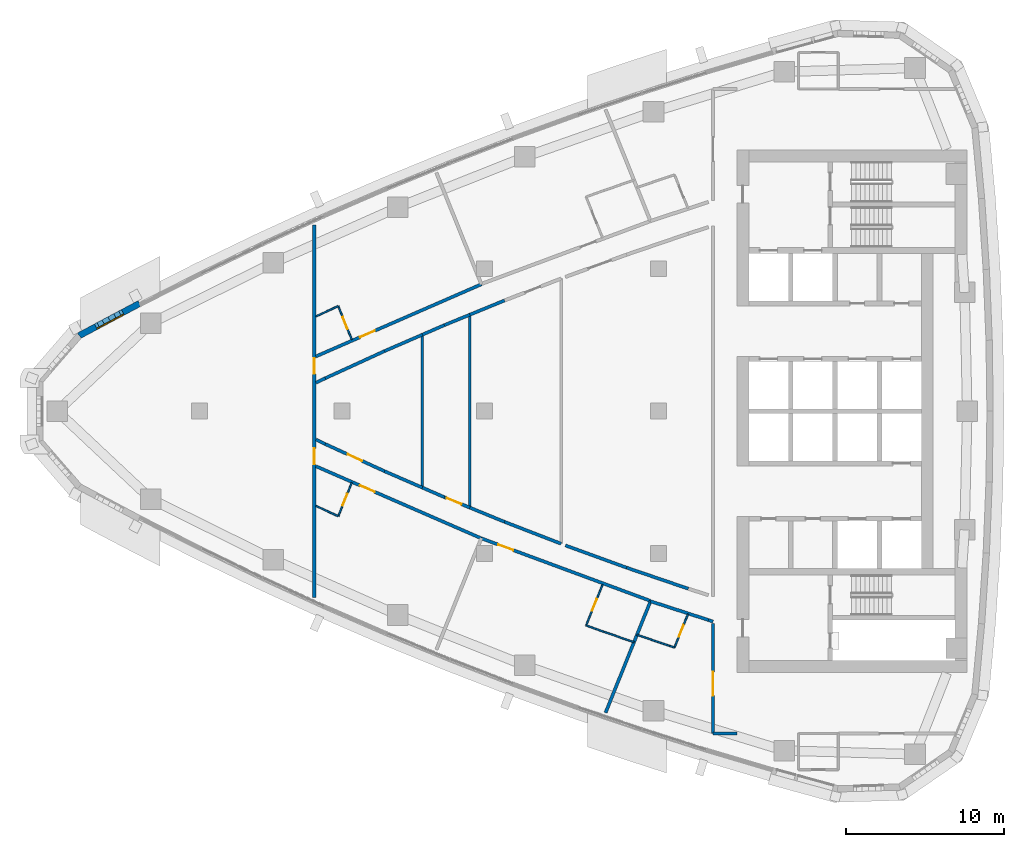
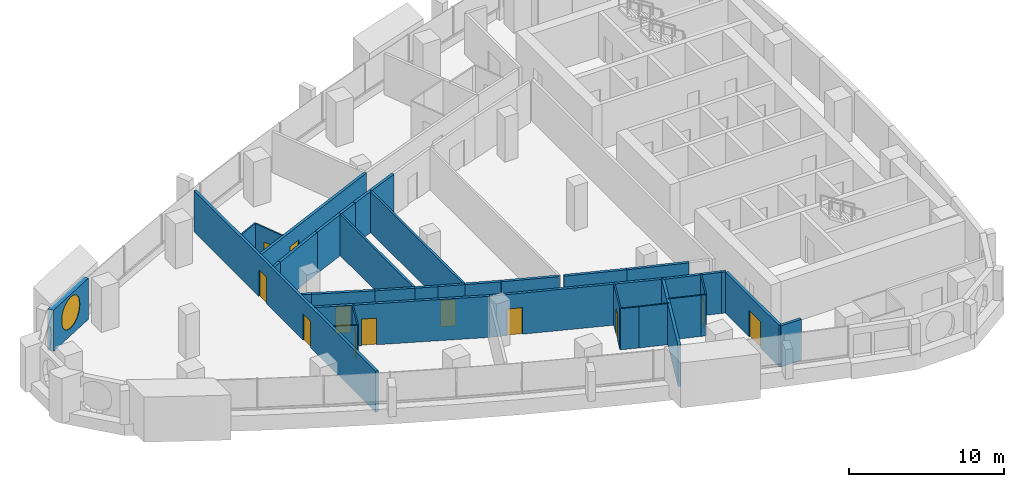
# One storey, part 9 of 16: 37 walls, 12 doors, 1 window, 13 openings.
"""IFC4 building model written with IfcOpenShell, lengths in metres."""

from ifc_helpers import new_model, si_unit, direction, frame, frame_2d, origin, place, context, subcontext, project, spatial, polyline, rectangle, outline, extrude, material, layer, layer_set, type_object, element, fill, save


model = new_model("IFC4")

# Units and contexts
model_context = context("Model", 3, precision=1e-05, world=origin(), true_north=direction((0.0, 1.0)))
body_context = subcontext(model_context, "Body", "Model", "MODEL_VIEW")
ifc_project = project(units=[si_unit("LENGTHUNIT", "METRE"), si_unit("AREAUNIT", "SQUARE_METRE"), si_unit("VOLUMEUNIT", "CUBIC_METRE"), si_unit("PLANEANGLEUNIT", "RADIAN"), si_unit("MASSUNIT", "GRAM", prefix="KILO")], contexts=[model_context])

# Site, building, storey
site_placement = place(None, origin())
site = spatial("IfcSite", under=ifc_project, at=site_placement, CompositionType="ELEMENT")
building_placement = place(site_placement, origin())
building = spatial("IfcBuilding", under=site, at=building_placement, Name="Ostrand Prow Hotel Tower", CompositionType="ELEMENT")
storey_placement = place(building_placement, frame((0.0, 0.0, 186.14990234375)))
storey = spatial("IfcBuildingStorey", under=building, at=storey_placement, Name="L46", CompositionType="ELEMENT", Elevation=186.14990234375)

# Wall
ifc_material_1 = material(Name="Plasterboard partition")
ifc_layer_1 = layer(ifc_material_1, 0.10009765625)
ifc_layer_set_1 = layer_set([ifc_layer_1], Name="Plasterboard partition")
wall_type_1 = type_object("IfcWallType", Name="Partition 100 bathroom wall", PredefinedType="PARTITIONING", material=ifc_layer_set_1)
wall_1_placement = place(storey_placement, frame((23.35400390625, 5.9873046875, 0.0), z_axis=(0.0, 0.0, 1.0), x_axis=(0.909158902999, 0.416449383597, 0.0)))
element("IfcWall", 1, at=wall_1_placement, inside=storey, type_object=wall_type_1, Name="BATHROOM WALL", PredefinedType="PARTITIONING", context=body_context, shape_type="SweptSolid", body=[
    extrude(rectangle(XDim=1.555908203125, YDim=0.10009765625, at=frame_2d((0.77783203125, 0.0))), origin(), (0.0, 0.0, 1.0), 3.25),
])

# Wall, opening, door
wall_2_placement = place(storey_placement, frame((24.7685546875, 6.635009765625, 0.0), z_axis=(0.0, 0.0, 1.0), x_axis=(0.373956446544, -0.927446265877, 0.0)))
wall_2 = element("IfcWall", 2, at=wall_2_placement, inside=storey, type_object=wall_type_1, Name="BATHROOM WALL", PredefinedType="PARTITIONING", context=body_context, shape_type="SweptSolid", body=[
    extrude(rectangle(XDim=2.279052734375, YDim=0.10009765625, at=frame_2d((1.1396484375, 0.0))), origin(), (0.0, 0.0, 1.0), 3.25),
])
opening_1_placement = place(wall_2_placement, frame((0.75, 0.0, 0.0)))
opening_1 = element("IfcOpeningElement", 3, at=opening_1_placement, cuts=wall_2, Name="Opening D2", PredefinedType="OPENING", context=body_context, shape_type="SweptSolid", body=[
    extrude(rectangle(XDim=0.800048828125, YDim=2.10009765625, at=frame_2d((0.39990234375, 1.050048828125))), frame((0.0, 0.06005859375, 0.0), z_axis=(0.0, -1.0, 0.0), x_axis=(1.0, 0.0, 0.0)), (0.0, 0.0, 1.0), 0.1201171875),
])
ifc_material_2 = material(Name="Timber door leaf", Category="wood")
door_type_1 = type_object("IfcDoorType", Name="Bathroom door 800", OperationType="SINGLE_SWING_LEFT", PredefinedType="DOOR", material=ifc_material_2)
door_1_placement = place(opening_1_placement, origin())
door_1 = element("IfcDoor", 4, at=door_1_placement, inside=storey, type_object=door_type_1, Name="DOOR", OperationType="SINGLE_SWING_LEFT", OverallHeight=2.10009765625, OverallWidth=0.800048828125, PredefinedType="DOOR", context=body_context, shape_type="SweptSolid", body=[
    extrude(rectangle(XDim=0.800048828125, YDim=2.10009765625, at=frame_2d((0.39990234375, 1.050048828125))), frame((0.0, 0.02490234375, 0.0), z_axis=(0.0, -1.0, 0.0), x_axis=(1.0, 0.0, 0.0)), (0.0, 0.0, 1.0), 0.050048828125),
])
fill(opening_1, door_1)

wall_3_placement = place(storey_placement, frame((25.620849609375, -4.521240234375, 0.0), z_axis=(0.0, 0.0, 1.0), x_axis=(-0.373956446544, -0.927446265877, 0.0)))
wall_3 = element("IfcWall", 5, at=wall_3_placement, inside=storey, type_object=wall_type_1, Name="BATHROOM WALL", PredefinedType="PARTITIONING", context=body_context, shape_type="SweptSolid", body=[
    extrude(rectangle(XDim=2.279052734375, YDim=0.10009765625, at=frame_2d((1.1396484375, 0.0))), origin(), (0.0, 0.0, 1.0), 3.25),
])
opening_2_placement = place(wall_3_placement, frame((0.75, 0.0, 0.0)))
opening_2 = element("IfcOpeningElement", 6, at=opening_2_placement, cuts=wall_3, Name="Opening D2", PredefinedType="OPENING", context=body_context, shape_type="SweptSolid", body=[
    extrude(rectangle(XDim=0.800048828125, YDim=2.10009765625, at=frame_2d((0.39990234375, 1.050048828125))), frame((0.0, 0.06005859375, 0.0), z_axis=(0.0, -1.0, 0.0), x_axis=(1.0, 0.0, 0.0)), (0.0, 0.0, 1.0), 0.1201171875),
])
door_2_placement = place(opening_2_placement, origin())
door_2 = element("IfcDoor", 7, at=door_2_placement, inside=storey, type_object=door_type_1, Name="DOOR", OperationType="SINGLE_SWING_LEFT", OverallHeight=2.10009765625, OverallWidth=0.800048828125, PredefinedType="DOOR", context=body_context, shape_type="SweptSolid", body=[
    extrude(rectangle(XDim=0.800048828125, YDim=2.10009765625, at=frame_2d((0.39990234375, 1.050048828125))), frame((0.0, 0.02490234375, 0.0), z_axis=(0.0, -1.0, 0.0), x_axis=(1.0, 0.0, 0.0)), (0.0, 0.0, 1.0), 0.050048828125),
])
fill(opening_2, door_2)

# Wall
wall_4_placement = place(storey_placement, frame((24.7685546875, -6.63525390625, 0.0), z_axis=(0.0, 0.0, 1.0), x_axis=(-0.909158902999, 0.416449383597, 0.0)))
element("IfcWall", 8, at=wall_4_placement, inside=storey, type_object=wall_type_1, Name="BATHROOM WALL", PredefinedType="PARTITIONING", context=body_context, shape_type="SweptSolid", body=[
    extrude(rectangle(XDim=1.555908203125, YDim=0.10009765625, at=frame_2d((0.77783203125, 0.0))), origin(), (0.0, 0.0, 1.0), 3.25),
])

# Wall, opening, door
wall_5_placement = place(storey_placement, frame((40.425537109375, -13.53173828125, 0.0), z_axis=(0.0, 0.0, 1.0), x_axis=(0.373889095325, 0.927473419779, 0.0)))
wall_5 = element("IfcWall", 9, at=wall_5_placement, inside=storey, type_object=wall_type_1, Name="BATHROOM WALL", PredefinedType="PARTITIONING", context=body_context, shape_type="SweptSolid", body=[
    extrude(rectangle(XDim=2.7783203125, YDim=0.10009765625, at=frame_2d((1.38916015625, 0.0))), origin(), (0.0, 0.0, 1.0), 3.25),
])
opening_3_placement = place(wall_5_placement, frame((1.0, 0.0, 0.0)))
opening_3 = element("IfcOpeningElement", 10, at=opening_3_placement, cuts=wall_5, Name="Opening D2", PredefinedType="OPENING", context=body_context, shape_type="SweptSolid", body=[
    extrude(rectangle(XDim=0.800048828125, YDim=2.10009765625, at=frame_2d((0.39990234375, 1.050048828125))), frame((0.0, 0.06005859375, 0.0), z_axis=(0.0, -1.0, 0.0), x_axis=(1.0, 0.0, 0.0)), (0.0, 0.0, 1.0), 0.1201171875),
])
door_3_placement = place(opening_3_placement, origin())
door_3 = element("IfcDoor", 11, at=door_3_placement, inside=storey, type_object=door_type_1, Name="DOOR", OperationType="SINGLE_SWING_LEFT", OverallHeight=2.10009765625, OverallWidth=0.800048828125, PredefinedType="DOOR", context=body_context, shape_type="SweptSolid", body=[
    extrude(rectangle(XDim=0.800048828125, YDim=2.10009765625, at=frame_2d((0.39990234375, 1.050048828125))), frame((0.0, 0.02490234375, 0.0), z_axis=(0.0, -1.0, 0.0), x_axis=(1.0, 0.0, 0.0)), (0.0, 0.0, 1.0), 0.050048828125),
])
fill(opening_3, door_3)

# Walls
wall_6_placement = place(storey_placement, frame((43.449462890625, -14.589111328125, 0.0), z_axis=(0.0, 0.0, 1.0), x_axis=(-0.94641533286, 0.322952036265, 0.0)))
element("IfcWall", 12, at=wall_6_placement, inside=storey, type_object=wall_type_1, Name="BATHROOM WALL", PredefinedType="PARTITIONING", context=body_context, shape_type="SweptSolid", body=[
    extrude(rectangle(XDim=2.001708984375, YDim=0.10009765625, at=frame_2d((1.0009765625, 0.0))), origin(), (0.0, 0.0, 1.0), 3.25),
])
wall_7_placement = place(storey_placement, frame((41.5546875, -13.942626953125, 0.0), z_axis=(0.0, 0.0, 1.0), x_axis=(-0.939781557461, 0.341775692897, 0.0)))
element("IfcWall", 13, at=wall_7_placement, inside=storey, type_object=wall_type_1, Name="BATHROOM WALL", PredefinedType="PARTITIONING", context=body_context, shape_type="SweptSolid", body=[
    extrude(rectangle(XDim=1.201416015625, YDim=0.10009765625, at=frame_2d((0.6005859375, 0.0))), origin(), (0.0, 0.0, 1.0), 3.25),
])

# Wall, opening, door
wall_8_placement = place(storey_placement, frame((46.862548828125, -12.80908203125, 0.0), z_axis=(0.0, 0.0, 1.0), x_axis=(-0.373877855241, -0.927477950876, 0.0)))
wall_8 = element("IfcWall", 14, at=wall_8_placement, inside=storey, type_object=wall_type_1, Name="BATHROOM WALL", PredefinedType="PARTITIONING", context=body_context, shape_type="SweptSolid", body=[
    extrude(rectangle(XDim=2.283447265625, YDim=0.10009765625, at=frame_2d((1.1416015625, 0.0))), origin(), (0.0, 0.0, 1.0), 3.25),
])
opening_4_placement = place(wall_8_placement, frame((0.75, 0.0, 0.0)))
opening_4 = element("IfcOpeningElement", 15, at=opening_4_placement, cuts=wall_8, Name="Opening D2", PredefinedType="OPENING", context=body_context, shape_type="SweptSolid", body=[
    extrude(rectangle(XDim=0.800048828125, YDim=2.10009765625, at=frame_2d((0.39990234375, 1.050048828125))), frame((0.0, 0.06005859375, 0.0), z_axis=(0.0, -1.0, 0.0), x_axis=(1.0, 0.0, 0.0)), (0.0, 0.0, 1.0), 0.1201171875),
])
door_4_placement = place(opening_4_placement, origin())
door_4 = element("IfcDoor", 16, at=door_4_placement, inside=storey, type_object=door_type_1, Name="DOOR", OperationType="SINGLE_SWING_LEFT", OverallHeight=2.10009765625, OverallWidth=0.800048828125, PredefinedType="DOOR", context=body_context, shape_type="SweptSolid", body=[
    extrude(rectangle(XDim=0.800048828125, YDim=2.10009765625, at=frame_2d((0.39990234375, 1.050048828125))), frame((0.0, 0.02490234375, 0.0), z_axis=(0.0, -1.0, 0.0), x_axis=(1.0, 0.0, 0.0)), (0.0, 0.0, 1.0), 0.050048828125),
])
fill(opening_4, door_4)

# Walls
wall_9_placement = place(storey_placement, frame((46.0087890625, -14.927001953125, 0.0), z_axis=(0.0, 0.0, 1.0), x_axis=(-0.952618746207, 0.304166935045, 0.0)))
element("IfcWall", 17, at=wall_9_placement, inside=storey, type_object=wall_type_1, Name="BATHROOM WALL", PredefinedType="PARTITIONING", context=body_context, shape_type="SweptSolid", body=[
    extrude(rectangle(XDim=0.334716796875, YDim=0.10009765625, at=frame_2d((0.16748046875, 0.0))), origin(), (0.0, 0.0, 1.0), 3.25),
])
wall_10_placement = place(storey_placement, frame((45.68994140625, -14.8251953125, 0.0), z_axis=(0.0, 0.0, 1.0), x_axis=(-0.946442988685, 0.322870979136, 0.0)))
element("IfcWall", 18, at=wall_10_placement, inside=storey, type_object=wall_type_1, Name="BATHROOM WALL", PredefinedType="PARTITIONING", context=body_context, shape_type="SweptSolid", body=[
    extrude(rectangle(XDim=2.16943359375, YDim=0.10009765625, at=frame_2d((1.084716796875, 0.0))), origin(), (0.0, 0.0, 1.0), 3.25),
])
ifc_material_3 = material(Name="Plasterboard partition")
ifc_layer_2 = layer(ifc_material_3, 0.14990234375)
ifc_layer_set_2 = layer_set([ifc_layer_2], Name="Plasterboard partition")
wall_type_2 = type_object("IfcWallType", Name="Partition 150 room partition", PredefinedType="PARTITIONING", material=ifc_layer_set_2)
wall_11_placement = place(storey_placement, frame((30.078857421875, -4.830078125, 0.0), z_axis=(0.0, 0.0, 1.0), x_axis=(0.0, 1.0, 0.0)))
element("IfcWall", 19, at=wall_11_placement, inside=storey, type_object=wall_type_2, Name="ROOM PARTITION", PredefinedType="PARTITIONING", context=body_context, shape_type="SweptSolid", body=[
    extrude(rectangle(XDim=9.66015625, YDim=0.14990234375, at=frame_2d((4.830078125, 0.0))), origin(), (0.0, 0.0, 1.0), 3.25),
])
wall_12_placement = place(storey_placement, frame((33.078857421875, -6.09326171875, 0.0), z_axis=(0.0, 0.0, 1.0), x_axis=(0.0, 1.0, 0.0)))
element("IfcWall", 20, at=wall_12_placement, inside=storey, type_object=wall_type_2, Name="ROOM PARTITION", PredefinedType="PARTITIONING", context=body_context, shape_type="SweptSolid", body=[
    extrude(rectangle(XDim=12.1865234375, YDim=0.14990234375, at=frame_2d((6.09326171875, 0.0))), origin(), (0.0, 0.0, 1.0), 3.25),
])

# Wall, opening, door
ifc_material_4 = material(Name="Plasterboard partition")
ifc_layer_3 = layer(ifc_material_4, 0.199951171875)
ifc_layer_set_3 = layer_set([ifc_layer_3], Name="Plasterboard partition")
wall_type_3 = type_object("IfcWallType", Name="Partition 200 corridor wall", PredefinedType="PARTITIONING", material=ifc_layer_set_3)
wall_13_placement = place(storey_placement, frame((23.35400390625, 3.45751953125, 0.0), z_axis=(0.0, 0.0, 1.0), x_axis=(0.916719487908, 0.399531451189, 0.0)))
wall_13 = element("IfcWall", 21, at=wall_13_placement, inside=storey, type_object=wall_type_3, Name="CORRIDOR WALL", PredefinedType="PARTITIONING", context=body_context, shape_type="SweptSolid", body=[
    extrude(rectangle(XDim=11.404296875, YDim=0.199951171875, at=frame_2d((5.7021484375, 0.0))), origin(), (0.0, 0.0, 1.0), 3.25),
])
opening_5_placement = place(wall_13_placement, frame((3.050048828125, 0.0, 0.0)))
opening_5 = element("IfcOpeningElement", 22, at=opening_5_placement, cuts=wall_13, Name="Opening D1R", PredefinedType="OPENING", context=body_context, shape_type="SweptSolid", body=[
    extrude(rectangle(XDim=1.0, YDim=2.10009765625, at=frame_2d((0.5, 1.050048828125))), frame((0.0, 0.10986328125, 0.0), z_axis=(0.0, -1.0, 0.0), x_axis=(1.0, 0.0, 0.0)), (0.0, 0.0, 1.0), 0.219970703125),
])
ifc_material_5 = material(Name="Timber door leaf", Category="wood")
door_type_2 = type_object("IfcDoorType", Name="Guest room door 1000 right", OperationType="SINGLE_SWING_RIGHT", PredefinedType="DOOR", material=ifc_material_5)
door_5_placement = place(opening_5_placement, origin())
door_5 = element("IfcDoor", 23, at=door_5_placement, inside=storey, type_object=door_type_2, Name="DOOR", OperationType="SINGLE_SWING_RIGHT", OverallHeight=2.10009765625, OverallWidth=1.0, PredefinedType="DOOR", context=body_context, shape_type="SweptSolid", body=[
    extrude(rectangle(XDim=1.0, YDim=2.10009765625, at=frame_2d((0.5, 1.050048828125))), frame((0.0, 0.02490234375, 0.0), z_axis=(0.0, -1.0, 0.0), x_axis=(1.0, 0.0, 0.0)), (0.0, 0.0, 1.0), 0.050048828125),
])
fill(opening_5, door_5)

wall_14_placement = place(storey_placement, frame((23.35400390625, -3.4794921875, 0.0), z_axis=(0.0, 0.0, 1.0), x_axis=(0.916726746983, -0.399514794926, 0.0)))
wall_14 = element("IfcWall", 24, at=wall_14_placement, inside=storey, type_object=wall_type_3, Name="CORRIDOR WALL", PredefinedType="PARTITIONING", context=body_context, shape_type="SweptSolid", body=[
    extrude(rectangle(XDim=11.396240234375, YDim=0.199951171875, at=frame_2d((5.6982421875, 0.0))), origin(), (0.0, 0.0, 1.0), 3.25),
])
opening_6_placement = place(wall_14_placement, frame((3.050048828125, 0.0, 0.0)))
opening_6 = element("IfcOpeningElement", 25, at=opening_6_placement, cuts=wall_14, Name="Opening D1", PredefinedType="OPENING", context=body_context, shape_type="SweptSolid", body=[
    extrude(rectangle(XDim=1.0, YDim=2.10009765625, at=frame_2d((0.5, 1.050048828125))), frame((0.0, 0.10986328125, 0.0), z_axis=(0.0, -1.0, 0.0), x_axis=(1.0, 0.0, 0.0)), (0.0, 0.0, 1.0), 0.219970703125),
])
ifc_material_6 = material(Name="Timber door leaf", Category="wood")
door_type_3 = type_object("IfcDoorType", Name="Guest room door 1000", OperationType="SINGLE_SWING_LEFT", PredefinedType="DOOR", material=ifc_material_6)
door_6_placement = place(opening_6_placement, origin())
door_6 = element("IfcDoor", 26, at=door_6_placement, inside=storey, type_object=door_type_3, Name="DOOR", OperationType="SINGLE_SWING_LEFT", OverallHeight=2.10009765625, OverallWidth=1.0, PredefinedType="DOOR", context=body_context, shape_type="SweptSolid", body=[
    extrude(rectangle(XDim=1.0, YDim=2.10009765625, at=frame_2d((0.5, 1.050048828125))), frame((0.0, 0.02490234375, 0.0), z_axis=(0.0, -1.0, 0.0), x_axis=(1.0, 0.0, 0.0)), (0.0, 0.0, 1.0), 0.050048828125),
])
fill(opening_6, door_6)

wall_15_placement = place(storey_placement, frame((33.80126953125, -8.032470703125, 0.0), z_axis=(0.0, 0.0, 1.0), x_axis=(0.937916242759, -0.346861819127, 0.0)))
wall_15 = element("IfcWall", 27, at=wall_15_placement, inside=storey, type_object=wall_type_3, Name="CORRIDOR WALL", PredefinedType="PARTITIONING", context=body_context, shape_type="SweptSolid", body=[
    extrude(rectangle(XDim=11.404541015625, YDim=0.199951171875, at=frame_2d((5.7021484375, 0.0))), origin(), (0.0, 0.0, 1.0), 3.25),
])
opening_7_placement = place(wall_15_placement, frame((1.14990234375, 0.0, 0.0)))
opening_7 = element("IfcOpeningElement", 28, at=opening_7_placement, cuts=wall_15, Name="Opening D1", PredefinedType="OPENING", context=body_context, shape_type="SweptSolid", body=[
    extrude(rectangle(XDim=1.0, YDim=2.10009765625, at=frame_2d((0.5, 1.050048828125))), frame((0.0, 0.10986328125, 0.0), z_axis=(0.0, -1.0, 0.0), x_axis=(1.0, 0.0, 0.0)), (0.0, 0.0, 1.0), 0.219970703125),
])
door_7_placement = place(opening_7_placement, origin())
door_7 = element("IfcDoor", 29, at=door_7_placement, inside=storey, type_object=door_type_3, Name="DOOR", OperationType="SINGLE_SWING_LEFT", OverallHeight=2.10009765625, OverallWidth=1.0, PredefinedType="DOOR", context=body_context, shape_type="SweptSolid", body=[
    extrude(rectangle(XDim=1.0, YDim=2.10009765625, at=frame_2d((0.5, 1.050048828125))), frame((0.0, 0.02490234375, 0.0), z_axis=(0.0, -1.0, 0.0), x_axis=(1.0, 0.0, 0.0)), (0.0, 0.0, 1.0), 0.050048828125),
])
fill(opening_7, door_7)

wall_16_placement = place(storey_placement, frame((27.689697265625, -3.79345703125, 0.0), z_axis=(0.0, 0.0, 1.0), x_axis=(-0.909180834404, 0.416401501382, 0.0)))
wall_16 = element("IfcWall", 30, at=wall_16_placement, inside=storey, type_object=wall_type_3, Name="CORRIDOR WALL", PredefinedType="PARTITIONING", context=body_context, shape_type="SweptSolid", body=[
    extrude(rectangle(XDim=4.1171875, YDim=0.199951171875, at=frame_2d((2.05859375, 0.0))), origin(), (0.0, 0.0, 1.0), 3.25),
])
opening_8_placement = place(wall_16_placement, frame((1.55859375, 0.0, 0.0)))
opening_8 = element("IfcOpeningElement", 31, at=opening_8_placement, cuts=wall_16, Name="Opening D1", PredefinedType="OPENING", context=body_context, shape_type="SweptSolid", body=[
    extrude(rectangle(XDim=1.0, YDim=2.10009765625, at=frame_2d((0.5, 1.050048828125))), frame((0.0, 0.10986328125, 0.0), z_axis=(0.0, -1.0, 0.0), x_axis=(1.0, 0.0, 0.0)), (0.0, 0.0, 1.0), 0.219970703125),
])
door_8_placement = place(opening_8_placement, origin())
door_8 = element("IfcDoor", 32, at=door_8_placement, inside=storey, type_object=door_type_3, Name="DOOR", OperationType="SINGLE_SWING_LEFT", OverallHeight=2.10009765625, OverallWidth=1.0, PredefinedType="DOOR", context=body_context, shape_type="SweptSolid", body=[
    extrude(rectangle(XDim=1.0, YDim=2.10009765625, at=frame_2d((0.5, 1.050048828125))), frame((0.0, 0.02490234375, 0.0), z_axis=(0.0, -1.0, 0.0), x_axis=(1.0, 0.0, 0.0)), (0.0, 0.0, 1.0), 0.050048828125),
])
fill(opening_8, door_8)

# Walls
for number, where, z_axis, x_axis, name in (
    (33, (23.946533203125, -2.0791015625, 0.0), (0.0, 0.0, 1.0), (-0.900646803965, 0.434551877809, 0.0), "CORRIDOR WALL"),
    (34, (23.35400390625, 1.793212890625, 0.0), (0.0, 0.0, 1.0), (0.900646803965, 0.434551877809, 0.0), "CORRIDOR WALL"),
):
    element("IfcWall", number, at=place(storey_placement, frame(where, z_axis=z_axis, x_axis=x_axis)), inside=storey, type_object=wall_type_3, Name=name, PredefinedType="PARTITIONING", context=body_context, shape_type="SweptSolid", body=[
        extrude(rectangle(XDim=0.657958984375, YDim=0.199951171875, at=frame_2d((0.3291015625, 0.0))), origin(), (0.0, 0.0, 1.0), 3.25),
    ])
wall_17_placement = place(storey_placement, frame((23.946533203125, 2.0791015625, 0.0), z_axis=(0.0, 0.0, 1.0), x_axis=(0.909180834404, 0.416401501382, 0.0)))
element("IfcWall", 35, at=wall_17_placement, inside=storey, type_object=wall_type_3, Name="CORRIDOR WALL", PredefinedType="PARTITIONING", context=body_context, shape_type="SweptSolid", body=[
    extrude(rectangle(XDim=4.1171875, YDim=0.199951171875, at=frame_2d((2.05859375, 0.0))), origin(), (0.0, 0.0, 1.0), 3.25),
])
for number, where, z_axis, x_axis, name in (
    (36, (27.689697265625, 3.79345703125, 0.0), (0.0, 0.0, 1.0), (0.917370846112, 0.398033579869, 0.0), "CORRIDOR WALL"),
    (37, (30.078857421875, -4.830078125, 0.0), (0.0, 0.0, 1.0), (-0.917370846112, 0.398033579869, 0.0), "CORRIDOR WALL"),
):
    element("IfcWall", number, at=place(storey_placement, frame(where, z_axis=z_axis, x_axis=x_axis)), inside=storey, type_object=wall_type_3, Name=name, PredefinedType="PARTITIONING", context=body_context, shape_type="SweptSolid", body=[
        extrude(rectangle(XDim=2.604248046875, YDim=0.199951171875, at=frame_2d((1.30224609375, 0.0))), origin(), (0.0, 0.0, 1.0), 3.25),
    ])

# Wall, opening, door
wall_18_placement = place(storey_placement, frame((33.078857421875, -6.09326171875, 0.0), z_axis=(0.0, 0.0, 1.0), x_axis=(-0.925234201035, 0.379396459177, 0.0)))
wall_18 = element("IfcWall", 38, at=wall_18_placement, inside=storey, type_object=wall_type_3, Name="CORRIDOR WALL", PredefinedType="PARTITIONING", context=body_context, shape_type="SweptSolid", body=[
    extrude(rectangle(XDim=1.74267578125, YDim=0.199951171875, at=frame_2d((0.871337890625, 0.0))), origin(), (0.0, 0.0, 1.0), 3.25),
])
opening_9_placement = place(wall_18_placement, frame((0.5712890625, 0.0, 0.0)))
opening_9 = element("IfcOpeningElement", 39, at=opening_9_placement, cuts=wall_18, Name="Opening D1R", PredefinedType="OPENING", context=body_context, shape_type="SweptSolid", body=[
    extrude(rectangle(XDim=1.0, YDim=2.10009765625, at=frame_2d((0.5, 1.050048828125))), frame((0.0, 0.10986328125, 0.0), z_axis=(0.0, -1.0, 0.0), x_axis=(1.0, 0.0, 0.0)), (0.0, 0.0, 1.0), 0.219970703125),
])
door_9_placement = place(opening_9_placement, origin())
door_9 = element("IfcDoor", 40, at=door_9_placement, inside=storey, type_object=door_type_2, Name="DOOR", OperationType="SINGLE_SWING_RIGHT", OverallHeight=2.10009765625, OverallWidth=1.0, PredefinedType="DOOR", context=body_context, shape_type="SweptSolid", body=[
    extrude(rectangle(XDim=1.0, YDim=2.10009765625, at=frame_2d((0.5, 1.050048828125))), frame((0.0, 0.02490234375, 0.0), z_axis=(0.0, -1.0, 0.0), x_axis=(1.0, 0.0, 0.0)), (0.0, 0.0, 1.0), 0.050048828125),
])
fill(opening_9, door_9)

# Walls
for number, where, z_axis, x_axis, name in (
    (41, (31.466552734375, -5.43212890625, 0.0), (0.0, 0.0, 1.0), (-0.917382817853, 0.398005986774, 0.0), "CORRIDOR WALL"),
    (42, (30.078857421875, 4.830078125, 0.0), (0.0, 0.0, 1.0), (0.917382817853, 0.398005986774, 0.0), "CORRIDOR WALL"),
):
    element("IfcWall", number, at=place(storey_placement, frame(where, z_axis=z_axis, x_axis=x_axis)), inside=storey, type_object=wall_type_3, Name=name, PredefinedType="PARTITIONING", context=body_context, shape_type="SweptSolid", body=[
        extrude(rectangle(XDim=1.5126953125, YDim=0.199951171875, at=frame_2d((0.75634765625, 0.0))), origin(), (0.0, 0.0, 1.0), 3.25),
    ])
wall_19_placement = place(storey_placement, frame((31.466552734375, 5.43212890625, 0.0), z_axis=(0.0, 0.0, 1.0), x_axis=(0.925234201035, 0.379396459177, 0.0)))
element("IfcWall", 43, at=wall_19_placement, inside=storey, type_object=wall_type_3, Name="CORRIDOR WALL", PredefinedType="PARTITIONING", context=body_context, shape_type="SweptSolid", body=[
    extrude(rectangle(XDim=1.74267578125, YDim=0.199951171875, at=frame_2d((0.871337890625, 0.0))), origin(), (0.0, 0.0, 1.0), 3.25),
])
wall_20_placement = place(storey_placement, frame((38.843017578125, -8.3740234375, 0.0), z_axis=(0.0, 0.0, 1.0), x_axis=(-0.932681040007, 0.360702200731, 0.0)))
element("IfcWall", 44, at=wall_20_placement, inside=storey, type_object=wall_type_3, Name="CORRIDOR WALL", PredefinedType="PARTITIONING", context=body_context, shape_type="SweptSolid", body=[
    extrude(rectangle(XDim=3.824951171875, YDim=0.199951171875, at=frame_2d((1.91259765625, 0.0))), origin(), (0.0, 0.0, 1.0), 3.25),
])
for number, where, z_axis, x_axis, name in (
    (45, (35.275634765625, -6.994384765625, 0.0), (0.0, 0.0, 1.0), (-0.925186207522, 0.37951347988, 0.0), "CORRIDOR WALL"),
    (46, (33.078857421875, 6.09326171875, 0.0), (0.0, 0.0, 1.0), (0.925186207522, 0.37951347988, 0.0), "CORRIDOR WALL"),
):
    element("IfcWall", number, at=place(storey_placement, frame(where, z_axis=z_axis, x_axis=x_axis)), inside=storey, type_object=wall_type_3, Name=name, PredefinedType="PARTITIONING", context=body_context, shape_type="SweptSolid", body=[
        extrude(rectangle(XDim=2.37451171875, YDim=0.199951171875, at=frame_2d((1.187255859375, 0.0))), origin(), (0.0, 0.0, 1.0), 3.25),
    ])
for number, where, z_axis, x_axis, name in (
    (47, (46.880859375, -11.216552734375, 0.0), (0.0, 0.0, 1.0), (-0.946436071896, 0.322891253852, 0.0), "CORRIDOR WALL"),
    (48, (42.984375, -9.88720703125, 0.0), (0.0, 0.0, 1.0), (-0.939727613335, 0.341923986779, 0.0), "CORRIDOR WALL"),
):
    element("IfcWall", number, at=place(storey_placement, frame(where, z_axis=z_axis, x_axis=x_axis)), inside=storey, type_object=wall_type_3, Name=name, PredefinedType="PARTITIONING", context=body_context, shape_type="SweptSolid", body=[
        extrude(rectangle(XDim=4.116943359375, YDim=0.199951171875, at=frame_2d((2.05859375, 0.0))), origin(), (0.0, 0.0, 1.0), 3.25),
    ])
wall_21_placement = place(storey_placement, frame((44.490478515625, -12.007080078125, 0.0), z_axis=(0.0, 0.0, 1.0), x_axis=(0.951228355446, -0.308487626648, 0.0)))
element("IfcWall", 49, at=wall_21_placement, inside=storey, type_object=wall_type_3, Name="CORRIDOR WALL", PredefinedType="PARTITIONING", context=body_context, shape_type="SweptSolid", body=[
    extrude(rectangle(XDim=3.84716796875, YDim=0.199951171875, at=frame_2d((1.923583984375, 0.0))), origin(), (0.0, 0.0, 1.0), 3.25),
])
wall_22_placement = place(storey_placement, frame((48.14990234375, -13.19384765625, 0.0), z_axis=(0.0, 0.0, 1.0), x_axis=(0.946069343286, -0.323964191994, 0.0)))
element("IfcWall", 50, at=wall_22_placement, inside=storey, type_object=wall_type_3, Name="CORRIDOR WALL", PredefinedType="PARTITIONING", context=body_context, shape_type="SweptSolid", body=[
    extrude(rectangle(XDim=0.31201171875, YDim=0.199951171875, at=frame_2d((0.156005859375, 0.0))), origin(), (0.0, 0.0, 1.0), 3.25),
])

# Wall, opening, door
wall_23_placement = place(storey_placement, frame((48.445068359375, -13.414794921875, 0.0), z_axis=(0.0, 0.0, 1.0), x_axis=(0.0, -1.0, 0.0)))
wall_23 = element("IfcWall", 51, at=wall_23_placement, inside=storey, type_object=wall_type_3, Name="CORRIDOR WALL", PredefinedType="PARTITIONING", context=body_context, shape_type="SweptSolid", body=[
    extrude(rectangle(XDim=6.936279296875, YDim=0.199951171875, at=frame_2d((3.46826171875, 0.0))), origin(), (0.0, 0.0, 1.0), 3.25),
])
opening_10_placement = place(wall_23_placement, frame((3.050048828125, 0.0, 0.0)))
opening_10 = element("IfcOpeningElement", 52, at=opening_10_placement, cuts=wall_23, Name="Opening D15", PredefinedType="OPENING", context=body_context, shape_type="SweptSolid", body=[
    extrude(rectangle(XDim=1.5, YDim=2.10009765625, at=frame_2d((0.75, 1.050048828125))), frame((0.0, 0.10986328125, 0.0), z_axis=(0.0, -1.0, 0.0), x_axis=(1.0, 0.0, 0.0)), (0.0, 0.0, 1.0), 0.219970703125),
])
ifc_material_7 = material(Name="Timber door leaf", Category="wood")
door_type_4 = type_object("IfcDoorType", Name="Double door 1500", OperationType="DOUBLE_DOOR_SINGLE_SWING", PredefinedType="DOOR", material=ifc_material_7)
door_10_placement = place(opening_10_placement, origin())
door_10 = element("IfcDoor", 53, at=door_10_placement, inside=storey, type_object=door_type_4, Name="DOOR", OperationType="DOUBLE_DOOR_SINGLE_SWING", OverallHeight=2.10009765625, OverallWidth=1.5, PredefinedType="DOOR", context=body_context, shape_type="SweptSolid", body=[
    extrude(rectangle(XDim=1.5, YDim=2.10009765625, at=frame_2d((0.75, 1.050048828125))), frame((0.0, 0.02490234375, 0.0), z_axis=(0.0, -1.0, 0.0), x_axis=(1.0, 0.0, 0.0)), (0.0, 0.0, 1.0), 0.050048828125),
])
fill(opening_10, door_10)

# Walls
wall_24_placement = place(storey_placement, frame((48.445068359375, -20.35107421875, 0.0), z_axis=(0.0, 0.0, 1.0), x_axis=(0.999996609175, -0.002604157836, 0.0)))
element("IfcWall", 54, at=wall_24_placement, inside=storey, type_object=wall_type_3, Name="CORRIDOR WALL", PredefinedType="PARTITIONING", context=body_context, shape_type="SweptSolid", body=[
    extrude(rectangle(XDim=1.5, YDim=0.199951171875, at=frame_2d((0.75, 0.0))), origin(), (0.0, 0.0, 1.0), 3.25),
])
ifc_material_8 = material(Name="Plasterboard partition")
ifc_layer_4 = layer(ifc_material_8, 0.199951171875)
ifc_layer_set_4 = layer_set([ifc_layer_4], Name="Plasterboard partition")
wall_type_4 = type_object("IfcWallType", Name="Partition 200 key partition", PredefinedType="PARTITIONING", material=ifc_layer_set_4)
wall_25_placement = place(storey_placement, frame((41.652099609375, -19.047607421875, 0.0), z_axis=(0.0, 0.0, 1.0), x_axis=(0.373877998371, 0.927477893178, 0.0)))
element("IfcWall", 55, at=wall_25_placement, inside=storey, type_object=wall_type_4, Name="KEY PARTITION", PredefinedType="PARTITIONING", context=body_context, shape_type="SweptSolid", body=[
    extrude(rectangle(XDim=7.611328125, YDim=0.199951171875, at=frame_2d((3.8056640625, 0.0))), origin(), (0.0, 0.0, 1.0), 3.25),
])

# Wall, openings, doors
ifc_material_9 = material(Name="Plasterboard partition")
ifc_layer_5 = layer(ifc_material_9, 0.199951171875)
ifc_layer_set_5 = layer_set([ifc_layer_5], Name="Plasterboard partition")
wall_type_5 = type_object("IfcWallType", Name="Partition 200 lounge wall", PredefinedType="PARTITIONING", material=ifc_layer_set_5)
wall_26_placement = place(storey_placement, frame((23.25390625, -11.77099609375, 0.0), z_axis=(0.0, 0.0, 1.0), x_axis=(0.0, 1.0, 0.0)))
wall_26 = element("IfcWall", 56, at=wall_26_placement, inside=storey, type_object=wall_type_5, Name="LOUNGE WALL", PredefinedType="PARTITIONING", context=body_context, shape_type="SweptSolid", body=[
    extrude(rectangle(XDim=23.5419921875, YDim=0.199951171875, at=frame_2d((11.77099609375, 0.0))), origin(), (0.0, 0.0, 1.0), 3.25),
])
opening_11_placement = place(wall_26_placement, frame((14.125, 0.0, 0.0)))
opening_11 = element("IfcOpeningElement", 57, at=opening_11_placement, cuts=wall_26, Name="Opening D1", PredefinedType="OPENING", context=body_context, shape_type="SweptSolid", body=[
    extrude(rectangle(XDim=1.0, YDim=2.10009765625, at=frame_2d((0.5, 1.050048828125))), frame((0.0, 0.10986328125, 0.0), z_axis=(0.0, -1.0, 0.0), x_axis=(1.0, 0.0, 0.0)), (0.0, 0.0, 1.0), 0.219970703125),
])
opening_12_placement = place(wall_26_placement, frame((8.4169921875, 0.0, 0.0)))
opening_12 = element("IfcOpeningElement", 58, at=opening_12_placement, cuts=wall_26, Name="Opening D1R", PredefinedType="OPENING", context=body_context, shape_type="SweptSolid", body=[
    extrude(rectangle(XDim=1.0, YDim=2.10009765625, at=frame_2d((0.5, 1.050048828125))), frame((0.0, 0.10986328125, 0.0), z_axis=(0.0, -1.0, 0.0), x_axis=(1.0, 0.0, 0.0)), (0.0, 0.0, 1.0), 0.219970703125),
])
door_11_placement = place(opening_11_placement, origin())
door_11 = element("IfcDoor", 59, at=door_11_placement, inside=storey, type_object=door_type_3, Name="DOOR", OperationType="SINGLE_SWING_LEFT", OverallHeight=2.10009765625, OverallWidth=1.0, PredefinedType="DOOR", context=body_context, shape_type="SweptSolid", body=[
    extrude(rectangle(XDim=1.0, YDim=2.10009765625, at=frame_2d((0.5, 1.050048828125))), frame((0.0, 0.02490234375, 0.0), z_axis=(0.0, -1.0, 0.0), x_axis=(1.0, 0.0, 0.0)), (0.0, 0.0, 1.0), 0.050048828125),
])
fill(opening_11, door_11)
door_12_placement = place(opening_12_placement, origin())
door_12 = element("IfcDoor", 60, at=door_12_placement, inside=storey, type_object=door_type_2, Name="DOOR", OperationType="SINGLE_SWING_RIGHT", OverallHeight=2.10009765625, OverallWidth=1.0, PredefinedType="DOOR", context=body_context, shape_type="SweptSolid", body=[
    extrude(rectangle(XDim=1.0, YDim=2.10009765625, at=frame_2d((0.5, 1.050048828125))), frame((0.0, 0.02490234375, 0.0), z_axis=(0.0, -1.0, 0.0), x_axis=(1.0, 0.0, 0.0)), (0.0, 0.0, 1.0), 0.050048828125),
])
fill(opening_12, door_12)

# Wall, opening, window
ifc_material_10 = material(Name="Precast concrete C40/50", Category="concrete")
ifc_layer_6 = layer(ifc_material_10, 0.39990234375)
ifc_layer_set_6 = layer_set([ifc_layer_6], Name="Precast concrete C40/50")
wall_type_6 = type_object("IfcWallType", Name="Stone-faced precast wall 400 mm", PredefinedType="NOTDEFINED", material=ifc_layer_set_6)
wall_27_placement = place(storey_placement, frame((12.209716796875, 6.801025390625, 0.0), z_axis=(0.0, 0.0, 1.0), x_axis=(-0.882385889746, -0.470526451518, 0.0)))
wall_27 = element("IfcWall", 61, at=wall_27_placement, inside=storey, type_object=wall_type_6, Name="Stone-faced wall prow 1", PredefinedType="NOTDEFINED", context=body_context, shape_type="SweptSolid", body=[
    extrude(outline(polyline([(0.0, -0.199951171875), (4.34423828125, -0.199951171875), (4.27001953125, 0.199951171875), (0.0, 0.199951171875), (0.0, -0.199951171875)])), origin(), (0.0, 0.0, 1.0), 3.25),
])
opening_13_placement = place(wall_27_placement, frame((1.053466796875, 0.0, 0.60009765625)))
opening_13 = element("IfcOpeningElement", 62, at=opening_13_placement, cuts=wall_27, Name="Opening WP1", PredefinedType="OPENING", context=body_context, shape_type="SweptSolid", body=[
    extrude(outline(polyline([(0.0, 1.35009765625), (0.083740234375, 1.77099609375), (0.322265625, 2.127685546875), (0.678955078125, 2.3662109375), (1.10009765625, 2.449951171875), (1.52099609375, 2.3662109375), (1.877685546875, 2.127685546875), (2.1162109375, 1.77099609375), (2.199951171875, 1.35009765625), (2.199951171875, 1.10009765625), (2.1162109375, 0.678955078125), (1.877685546875, 0.322265625), (1.52099609375, 0.083740234375), (1.10009765625, 0.0), (0.678955078125, 0.083740234375), (0.322265625, 0.322265625), (0.083740234375, 0.678955078125), (0.0, 1.099853515625), (0.0, 1.35009765625)])), frame((0.0, 0.2099609375, 0.0), z_axis=(0.0, -1.0, 0.0), x_axis=(1.0, 0.0, 0.0)), (0.0, 0.0, 1.0), 0.419921875),
])
ifc_material_11 = material(Name="Insulated glass in bronze frame", Category="glass")
window_type = type_object("IfcWindowType", Name="Round-ended prow window 2200x2450", PartitioningType="SINGLE_PANEL", PredefinedType="WINDOW", material=ifc_material_11)
window_placement = place(opening_13_placement, origin())
window = element("IfcWindow", 63, at=window_placement, inside=storey, type_object=window_type, Name="Window prow 1.1", OverallHeight=2.449951171875, OverallWidth=2.199951171875, PartitioningType="SINGLE_PANEL", PredefinedType="WINDOW", context=body_context, shape_type="SweptSolid", body=[
    extrude(outline(polyline([(0.0, 1.35009765625), (0.083740234375, 1.77099609375), (0.322265625, 2.127685546875), (0.678955078125, 2.3662109375), (1.10009765625, 2.449951171875), (1.52099609375, 2.3662109375), (1.877685546875, 2.127685546875), (2.1162109375, 1.77099609375), (2.199951171875, 1.35009765625), (2.199951171875, 1.10009765625), (2.1162109375, 0.678955078125), (1.877685546875, 0.322265625), (1.52099609375, 0.083740234375), (1.10009765625, 0.0), (0.678955078125, 0.083740234375), (0.322265625, 0.322265625), (0.083740234375, 0.678955078125), (0.0, 1.099853515625), (0.0, 1.35009765625)])), frame((0.0, 0.169921875, 0.0), z_axis=(0.0, -1.0, 0.0), x_axis=(1.0, 0.0, 0.0)), (0.0, 0.0, 1.0), 0.06005859375),
])
fill(opening_13, window)

save(model, "model.ifc")
